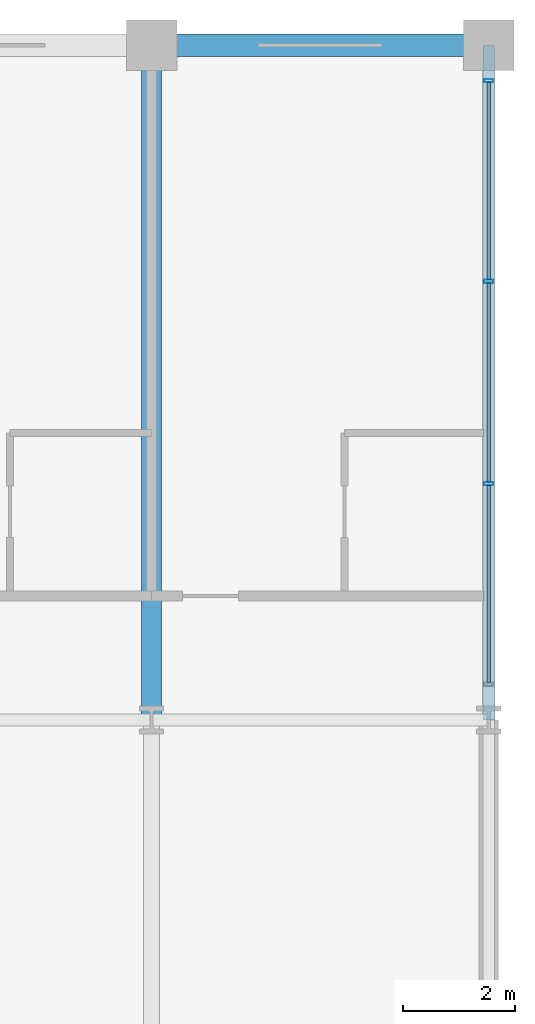
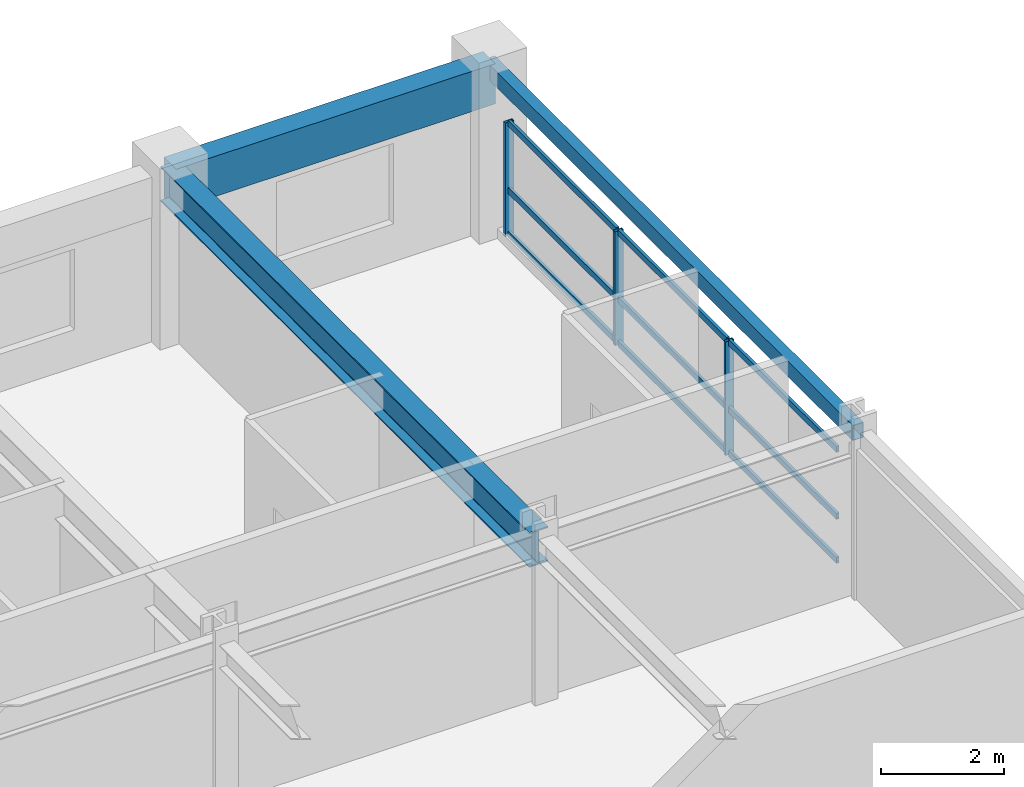
# One storey, part 14 of 24: 12 members, 3 beams, 1 element without a shape of its own.
"""IFC4 building model written with IfcOpenShell, lengths in metres."""

from ifc_helpers import new_model, si_unit, direction, frame, origin, origin_2d, place, context, subcontext, project, spatial, rectangle, hollow_rectangle, i_section, extrude, material, material_profile, profile_set, type_object, element, aggregate, save


model = new_model("IFC4")

# Units and contexts
model_context = context("Model", 3, precision=1e-05, world=origin(), true_north=direction((0.0, 1.0)))
body_context = subcontext(model_context, "Body", "Model", "MODEL_VIEW")
ifc_project = project(units=[si_unit("LENGTHUNIT", "METRE"), si_unit("AREAUNIT", "SQUARE_METRE"), si_unit("VOLUMEUNIT", "CUBIC_METRE"), si_unit("PLANEANGLEUNIT", "RADIAN"), si_unit("MASSUNIT", "GRAM", prefix="KILO")], contexts=[model_context])

# Site, building, storey
site_placement = place(None, origin())
site = spatial("IfcSite", under=ifc_project, at=site_placement, CompositionType="ELEMENT")
building_placement = place(site_placement, origin())
building = spatial("IfcBuilding", under=site, at=building_placement, Name="Kaldorvane Square Convention Centre", CompositionType="ELEMENT")
storey_placement = place(building_placement, frame((0.0, 0.0, 27.600006103515625)))
storey = spatial("IfcBuildingStorey", under=building, at=storey_placement, Name="L05", CompositionType="ELEMENT", Elevation=27.600006103515625)

# Beams
ifc_material_1 = material(Name="Steel ASTM A992 Gr. 50", Category="steel")
ifc_material_profile_1 = material_profile(ifc_material_1, i_section(OverallWidth=0.354705810546875, OverallDepth=0.69549560546875, WebThickness=0.0153961181640625, FlangeThickness=0.0251007080078125, FilletRadius=0.01519775390625, at=origin_2d()), Name="W27X146")
ifc_profile_set_1 = profile_set([ifc_material_profile_1], Name="Steel ASTM A992 Gr. 50")
beam_type_1 = type_object("IfcBeamType", Name="BM-GR-W27X146", PredefinedType="BEAM", material=ifc_profile_set_1)
beam_1_placement = place(storey_placement, frame((90.0, 105.0, 2.93829345703125), z_axis=(0.0, 1.0, 0.0), x_axis=(-1.0, 0.0, 0.0)))
element("IfcBeam", 1, at=beam_1_placement, inside=storey, type_object=beam_type_1, Name="Transverse Girder (L05)", PredefinedType="BEAM", context=body_context, shape_type="SweptSolid", body=[
    extrude(i_section(OverallWidth=0.354705810546875, OverallDepth=0.69549560546875, WebThickness=0.0153961181640625, FlangeThickness=0.0251007080078125, FilletRadius=0.01519775390625, at=origin_2d()), origin(), (0.0, 0.0, 1.0), 12.0),
])
ifc_material_2 = material(Name="Steel ASTM A500 Gr. C", Category="steel")
ifc_material_profile_2 = material_profile(ifc_material_2, hollow_rectangle(XDim=0.2032012939453125, YDim=0.3047943115234375, WallThickness=0.0088958740234375, at=origin_2d()), Name="HSS12X8X3/8")
ifc_profile_set_2 = profile_set([ifc_material_profile_2], Name="Steel ASTM A500 Gr. C")
beam_type_2 = type_object("IfcBeamType", Name="BM-SP-HSS12", PredefinedType="SPANDREL", material=ifc_profile_set_2)
beam_2_placement = place(storey_placement, frame((96.0, 105.0, 3.1335906982421875), z_axis=(0.0, 1.0, 0.0), x_axis=(-1.0, 0.0, 0.0)))
element("IfcBeam", 2, at=beam_2_placement, inside=storey, type_object=beam_type_2, Name="End Spandrel (L05)", PredefinedType="SPANDREL", context=body_context, shape_type="SweptSolid", body=[
    extrude(hollow_rectangle(XDim=0.2032012939453125, YDim=0.3047943115234375, WallThickness=0.0088958740234375, at=origin_2d()), origin(), (0.0, 0.0, 1.0), 12.0),
])
ifc_material_3 = material(Name="Concrete f'c = 42 MPa (Normalweight)", Category="concrete")
ifc_material_profile_3 = material_profile(ifc_material_3, rectangle(XDim=0.399993896484375, YDim=0.8000030517578125, at=origin_2d()), Name="RCSP800X400")
ifc_profile_set_3 = profile_set([ifc_material_profile_3], Name="Concrete f'c = 42 MPa (Normalweight)")
beam_type_3 = type_object("IfcBeamType", Name="BM-SP-RC800", PredefinedType="SPANDREL", material=ifc_profile_set_3)
beam_3_placement = place(storey_placement, frame((90.0, 117.0, 2.885986328125), z_axis=(1.0, 0.0, 0.0), x_axis=(0.0, 1.0, 0.0)))
element("IfcBeam", 3, at=beam_3_placement, inside=storey, type_object=beam_type_3, Name="Perimeter Spandrel (L05)", PredefinedType="SPANDREL", context=body_context, shape_type="SweptSolid", body=[
    extrude(rectangle(XDim=0.399993896484375, YDim=0.8000030517578125, at=origin_2d()), origin(), (0.0, 0.0, 1.0), 6.0),
])

# Curtain wall, members
ifc_material_4 = material(Name="Anodized Aluminum and Low-E Insulated Glazing", Category="aluminium")
curtain_wall_type = type_object("IfcCurtainWallType", Name="CW-UNI-HTL-A", PredefinedType="USERDEFINED", material=ifc_material_4)
curtain_wall_placement = place(storey_placement, origin())
curtain_wall = element("IfcCurtainWall", 4, at=curtain_wall_placement, inside=storey, type_object=curtain_wall_type, Name="Curtain Wall CW-10 (L05)", ObjectType="UNITISED GLAZING", PredefinedType="USERDEFINED")
ifc_material_profile_4 = material_profile(ifc_material_4, hollow_rectangle(XDim=0.05999755859375, YDim=0.160003662109375, WallThickness=0.003204345703125, at=origin_2d()), Name="CWM-160X60")
ifc_profile_set_4 = profile_set([ifc_material_profile_4], Name="Anodized Aluminum and Low-E Insulated Glazing")
member_type_1 = type_object("IfcMemberType", Name="CW-MUL-160", PredefinedType="MULLION", material=ifc_profile_set_4)
member_1_placement = place(storey_placement, frame((96.0, 109.19999694824219, 0.149993896484375), z_axis=(0.0, 0.0, 1.0), x_axis=(0.0, 1.0, 0.0)))
member_1 = element("IfcMember", 5, at=member_1_placement, type_object=member_type_1, Name="CW-10 mullion 2", PredefinedType="MULLION", context=body_context, shape_type="SweptSolid", body=[
    extrude(hollow_rectangle(XDim=0.05999755859375, YDim=0.160003662109375, WallThickness=0.003204345703125, at=origin_2d()), origin(), (0.0, 0.0, 1.0), 2.2599945068359375),
])
member_2_placement = place(storey_placement, frame((96.0, 112.80000305175781, 0.149993896484375), z_axis=(0.0, 0.0, 1.0), x_axis=(0.0, 1.0, 0.0)))
member_2 = element("IfcMember", 6, at=member_2_placement, type_object=member_type_1, Name="CW-10 mullion 3", PredefinedType="MULLION", context=body_context, shape_type="SweptSolid", body=[
    extrude(hollow_rectangle(XDim=0.05999755859375, YDim=0.160003662109375, WallThickness=0.003204345703125, at=origin_2d()), origin(), (0.0, 0.0, 1.0), 2.2599945068359375),
])
member_3_placement = place(storey_placement, frame((96.0, 116.3699951171875, 0.149993896484375), z_axis=(0.0, 0.0, 1.0), x_axis=(0.0, 1.0, 0.0)))
member_3 = element("IfcMember", 7, at=member_3_placement, type_object=member_type_1, Name="CW-10 mullion 4", PredefinedType="MULLION", context=body_context, shape_type="SweptSolid", body=[
    extrude(hollow_rectangle(XDim=0.05999755859375, YDim=0.160003662109375, WallThickness=0.003204345703125, at=origin_2d()), origin(), (0.0, 0.0, 1.0), 2.2599945068359375),
])
ifc_material_profile_5 = material_profile(ifc_material_4, hollow_rectangle(XDim=0.05499267578125, YDim=0.1199951171875, WallThickness=0.0030059814453125, at=origin_2d()), Name="CWT-120X55")
ifc_profile_set_5 = profile_set([ifc_material_profile_5], Name="Anodized Aluminum and Low-E Insulated Glazing")
member_type_2 = type_object("IfcMemberType", Name="CW-TRN-120", PredefinedType="USERDEFINED", material=ifc_profile_set_5)
member_4_placement = place(storey_placement, frame((96.0, 105.66000366210938, 0.177490234375), z_axis=(0.0, 1.0, 0.0), x_axis=(-1.0, 0.0, 0.0)))
member_4 = element("IfcMember", 8, at=member_4_placement, type_object=member_type_2, Name="CW-10 transom 1.1", ObjectType="TRANSOM", PredefinedType="USERDEFINED", context=body_context, shape_type="SweptSolid", body=[
    extrude(hollow_rectangle(XDim=0.05499267578125, YDim=0.1199951171875, WallThickness=0.0030059814453125, at=origin_2d()), origin(), (0.0, 0.0, 1.0), 3.5099945068359375),
])
member_5_placement = place(storey_placement, frame((96.0, 105.66000366210938, 1.04998779296875), z_axis=(0.0, 1.0, 0.0), x_axis=(-1.0, 0.0, 0.0)))
member_5 = element("IfcMember", 9, at=member_5_placement, type_object=member_type_2, Name="CW-10 transom 1.2", ObjectType="TRANSOM", PredefinedType="USERDEFINED", context=body_context, shape_type="SweptSolid", body=[
    extrude(hollow_rectangle(XDim=0.05499267578125, YDim=0.1199951171875, WallThickness=0.0030059814453125, at=origin_2d()), origin(), (0.0, 0.0, 1.0), 3.5099945068359375),
])
member_6_placement = place(storey_placement, frame((96.0, 105.66000366210938, 2.3824920654296875), z_axis=(0.0, 1.0, 0.0), x_axis=(-1.0, 0.0, 0.0)))
member_6 = element("IfcMember", 10, at=member_6_placement, type_object=member_type_2, Name="CW-10 transom 1.3", ObjectType="TRANSOM", PredefinedType="USERDEFINED", context=body_context, shape_type="SweptSolid", body=[
    extrude(hollow_rectangle(XDim=0.05499267578125, YDim=0.1199951171875, WallThickness=0.0030059814453125, at=origin_2d()), origin(), (0.0, 0.0, 1.0), 3.5099945068359375),
])
member_7_placement = place(storey_placement, frame((96.0, 109.22999572753906, 0.177490234375), z_axis=(0.0, 1.0, 0.0), x_axis=(-1.0, 0.0, 0.0)))
member_7 = element("IfcMember", 11, at=member_7_placement, type_object=member_type_2, Name="CW-10 transom 2.1", ObjectType="TRANSOM", PredefinedType="USERDEFINED", context=body_context, shape_type="SweptSolid", body=[
    extrude(hollow_rectangle(XDim=0.05499267578125, YDim=0.1199951171875, WallThickness=0.0030059814453125, at=origin_2d()), origin(), (0.0, 0.0, 1.0), 3.540008544921875),
])
member_8_placement = place(storey_placement, frame((96.0, 109.22999572753906, 1.04998779296875), z_axis=(0.0, 1.0, 0.0), x_axis=(-1.0, 0.0, 0.0)))
member_8 = element("IfcMember", 12, at=member_8_placement, type_object=member_type_2, Name="CW-10 transom 2.2", ObjectType="TRANSOM", PredefinedType="USERDEFINED", context=body_context, shape_type="SweptSolid", body=[
    extrude(hollow_rectangle(XDim=0.05499267578125, YDim=0.1199951171875, WallThickness=0.0030059814453125, at=origin_2d()), origin(), (0.0, 0.0, 1.0), 3.540008544921875),
])
member_9_placement = place(storey_placement, frame((96.0, 109.22999572753906, 2.3824920654296875), z_axis=(0.0, 1.0, 0.0), x_axis=(-1.0, 0.0, 0.0)))
member_9 = element("IfcMember", 13, at=member_9_placement, type_object=member_type_2, Name="CW-10 transom 2.3", ObjectType="TRANSOM", PredefinedType="USERDEFINED", context=body_context, shape_type="SweptSolid", body=[
    extrude(hollow_rectangle(XDim=0.05499267578125, YDim=0.1199951171875, WallThickness=0.0030059814453125, at=origin_2d()), origin(), (0.0, 0.0, 1.0), 3.540008544921875),
])
member_10_placement = place(storey_placement, frame((96.0, 112.83000183105469, 0.177490234375), z_axis=(0.0, 1.0, 0.0), x_axis=(-1.0, 0.0, 0.0)))
member_10 = element("IfcMember", 14, at=member_10_placement, type_object=member_type_2, Name="CW-10 transom 3.1", ObjectType="TRANSOM", PredefinedType="USERDEFINED", context=body_context, shape_type="SweptSolid", body=[
    extrude(hollow_rectangle(XDim=0.05499267578125, YDim=0.1199951171875, WallThickness=0.0030059814453125, at=origin_2d()), origin(), (0.0, 0.0, 1.0), 3.5099945068359375),
])
member_11_placement = place(storey_placement, frame((96.0, 112.83000183105469, 1.04998779296875), z_axis=(0.0, 1.0, 0.0), x_axis=(-1.0, 0.0, 0.0)))
member_11 = element("IfcMember", 15, at=member_11_placement, type_object=member_type_2, Name="CW-10 transom 3.2", ObjectType="TRANSOM", PredefinedType="USERDEFINED", context=body_context, shape_type="SweptSolid", body=[
    extrude(hollow_rectangle(XDim=0.05499267578125, YDim=0.1199951171875, WallThickness=0.0030059814453125, at=origin_2d()), origin(), (0.0, 0.0, 1.0), 3.5099945068359375),
])
member_12_placement = place(storey_placement, frame((96.0, 112.83000183105469, 2.3824920654296875), z_axis=(0.0, 1.0, 0.0), x_axis=(-1.0, 0.0, 0.0)))
member_12 = element("IfcMember", 16, at=member_12_placement, type_object=member_type_2, Name="CW-10 transom 3.3", ObjectType="TRANSOM", PredefinedType="USERDEFINED", context=body_context, shape_type="SweptSolid", body=[
    extrude(hollow_rectangle(XDim=0.05499267578125, YDim=0.1199951171875, WallThickness=0.0030059814453125, at=origin_2d()), origin(), (0.0, 0.0, 1.0), 3.5099945068359375),
])
aggregate(curtain_wall, [member_1, member_2, member_3, member_4, member_5, member_6, member_7, member_8, member_9, member_10, member_11, member_12])

save(model, "model.ifc")
